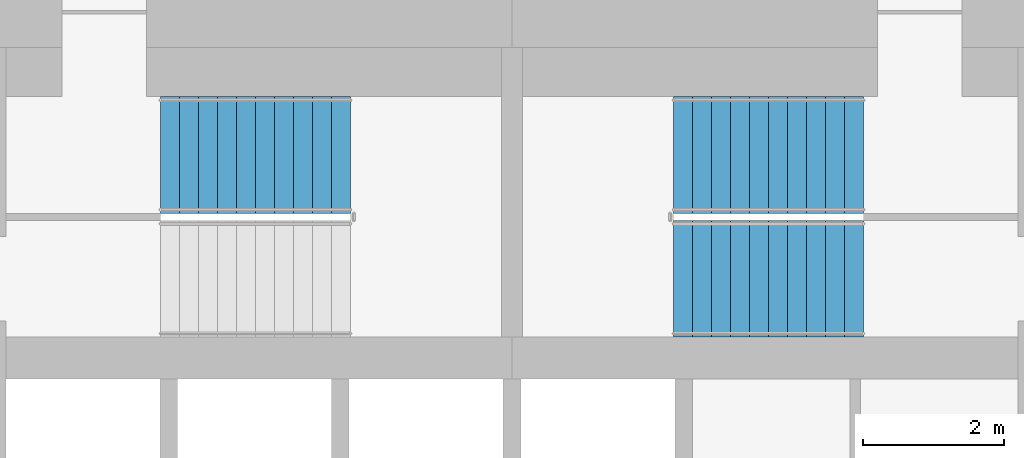
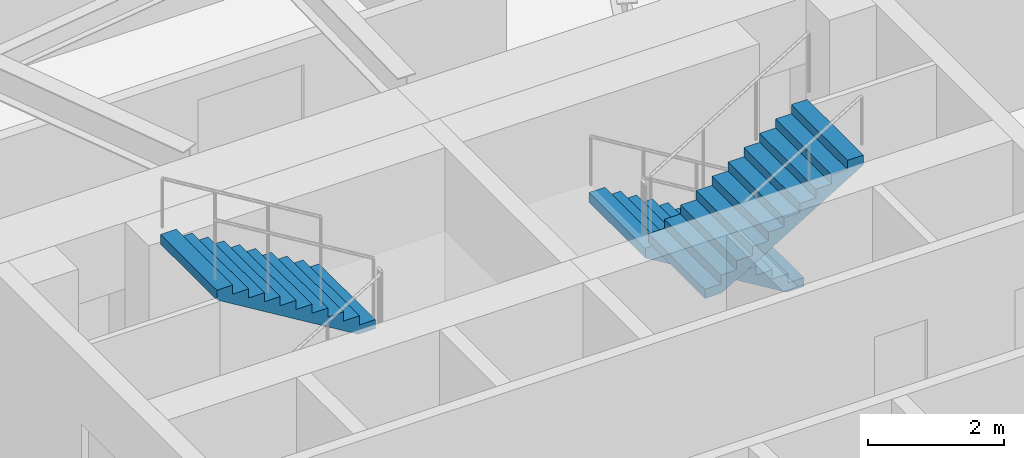
# One storey, part 5 of 8: 3 stair flights, 2 elements without a shape of their own.
"""IFC4 building model written with IfcOpenShell, lengths in metres."""

from ifc_helpers import new_model, si_unit, direction, frame, origin, place, context, subcontext, project, spatial, polyline, outline, extrude, material, type_object, element, aggregate, save


model = new_model("IFC4")

# Units and contexts
model_context = context("Model", 3, precision=1e-05, world=origin(), true_north=direction((0.0, 1.0)))
body_context = subcontext(model_context, "Body", "Model", "MODEL_VIEW")
ifc_project = project(units=[si_unit("LENGTHUNIT", "METRE"), si_unit("AREAUNIT", "SQUARE_METRE"), si_unit("VOLUMEUNIT", "CUBIC_METRE"), si_unit("PLANEANGLEUNIT", "RADIAN"), si_unit("MASSUNIT", "GRAM", prefix="KILO")], contexts=[model_context])

# Site, building, storey
site_placement = place(None, origin())
site = spatial("IfcSite", under=ifc_project, at=site_placement, CompositionType="ELEMENT")
building_placement = place(site_placement, origin())
building = spatial("IfcBuilding", under=site, at=building_placement, Name="Vermilion Reach Broadcast Tower", CompositionType="ELEMENT")
storey_placement = place(building_placement, frame((0.0, 0.0, 179.39990234375)))
storey = spatial("IfcBuildingStorey", under=building, at=storey_placement, Name="L43", CompositionType="ELEMENT", Elevation=179.39990234375)

# Stair, stair flight
ifc_material_1 = material(Name="Concrete C40", Category="concrete")
stair_type = type_object("IfcStairType", Name="Exit stair RC 22 risers 164 mm", PredefinedType="HALF_TURN_STAIR", material=ifc_material_1)
placement = place(storey_placement, origin())
stair_1 = element("IfcStair", 1, at=placement, inside=storey, type_object=stair_type, Name="L43 Exit stair ST1", PredefinedType="HALF_TURN_STAIR")
ifc_material_2 = material(Name="Concrete C40", Category="concrete")
stair_flight_type = type_object("IfcStairFlightType", Name="Exit stair flight RC 11 risers", PredefinedType="STRAIGHT", material=ifc_material_2)
stair_flight_1_placement = place(storey_placement, frame((-8.300048828125, 6.469970703125, 1.800048828125), z_axis=(0.0, 0.0, 1.0), x_axis=(-1.0, 0.0, 0.0)))
stair_flight_1 = element("IfcStairFlight", 2, at=stair_flight_1_placement, type_object=stair_flight_type, Name="ST1 flight 2", NumberOfRisers=11, NumberOfTreads=10, PredefinedType="STRAIGHT", RiserHeight=0.163636364, TreadLength=0.27, context=body_context, shape_type="SweptSolid", body=[
    extrude(outline(polyline([(0.0, 0.0), (0.0, 0.16357421875), (0.27001953125, 0.16357421875), (0.27001953125, 0.327392578125), (0.5400390625, 0.327392578125), (0.5400390625, 0.490966796875), (0.81005859375, 0.490966796875), (0.81005859375, 0.654541015625), (1.080078125, 0.654541015625), (1.080078125, 0.818115234375), (1.35009765625, 0.818115234375), (1.35009765625, 0.98193359375), (1.6201171875, 0.98193359375), (1.6201171875, 1.1455078125), (1.889892578125, 1.1455078125), (1.889892578125, 1.30908203125), (2.159912109375, 1.30908203125), (2.159912109375, 1.47265625), (2.429931640625, 1.47265625), (2.429931640625, 1.636474609375), (2.699951171875, 1.636474609375), (2.699951171875, 1.800048828125), (2.699951171875, 1.461181640625), (0.289306640625, 0.0), (0.0, 0.0)])), frame((0.0, 0.830078125, 0.0), z_axis=(0.0, -1.0, 0.0), x_axis=(1.0, 0.0, 0.0)), (0.0, 0.0, 1.0), 1.659912109375),
])
aggregate(stair_1, [stair_flight_1])

# Stair, stair flights
stair_2 = element("IfcStair", 3, at=placement, inside=storey, type_object=stair_type, Name="L43 Exit stair ST2", PredefinedType="HALF_TURN_STAIR")
stair_flight_2_placement = place(storey_placement, frame((-1.0, 6.469970703125, 0.0), z_axis=(0.0, 0.0, 1.0), x_axis=(-1.0, 0.0, 0.0)))
stair_flight_2 = element("IfcStairFlight", 4, at=stair_flight_2_placement, type_object=stair_flight_type, Name="ST2 flight 1", NumberOfRisers=11, NumberOfTreads=10, PredefinedType="STRAIGHT", RiserHeight=0.163636364, TreadLength=0.27, context=body_context, shape_type="SweptSolid", body=[
    extrude(outline(polyline([(0.0, 0.0), (0.0, 0.16357421875), (0.27001953125, 0.16357421875), (0.27001953125, 0.327392578125), (0.5400390625, 0.327392578125), (0.5400390625, 0.490966796875), (0.81005859375, 0.490966796875), (0.81005859375, 0.654541015625), (1.080078125, 0.654541015625), (1.080078125, 0.818115234375), (1.35009765625, 0.818115234375), (1.35009765625, 0.98193359375), (1.6201171875, 0.98193359375), (1.6201171875, 1.1455078125), (1.889892578125, 1.1455078125), (1.889892578125, 1.30908203125), (2.159912109375, 1.30908203125), (2.159912109375, 1.47265625), (2.429931640625, 1.47265625), (2.429931640625, 1.636474609375), (2.699951171875, 1.636474609375), (2.699951171875, 1.800048828125), (2.699951171875, 1.461181640625), (0.289306640625, 0.0), (0.0, 0.0)])), frame((0.0, 0.830078125, 0.0), z_axis=(0.0, -1.0, 0.0), x_axis=(1.0, 0.0, 0.0)), (0.0, 0.0, 1.0), 1.659912109375),
])
stair_flight_3_placement = place(storey_placement, frame((-3.699951171875, 4.7099609375, 1.800048828125), z_axis=(0.0, 0.0, 1.0), x_axis=(1.0, 0.0, 0.0)))
stair_flight_3 = element("IfcStairFlight", 5, at=stair_flight_3_placement, type_object=stair_flight_type, Name="ST2 flight 2", NumberOfRisers=11, NumberOfTreads=10, PredefinedType="STRAIGHT", RiserHeight=0.163636364, TreadLength=0.27, context=body_context, shape_type="SweptSolid", body=[
    extrude(outline(polyline([(0.0, 0.0), (0.0, 0.16357421875), (0.27001953125, 0.16357421875), (0.27001953125, 0.327392578125), (0.5400390625, 0.327392578125), (0.5400390625, 0.490966796875), (0.81005859375, 0.490966796875), (0.81005859375, 0.654541015625), (1.080078125, 0.654541015625), (1.080078125, 0.818115234375), (1.35009765625, 0.818115234375), (1.35009765625, 0.98193359375), (1.6201171875, 0.98193359375), (1.6201171875, 1.1455078125), (1.889892578125, 1.1455078125), (1.889892578125, 1.30908203125), (2.159912109375, 1.30908203125), (2.159912109375, 1.47265625), (2.429931640625, 1.47265625), (2.429931640625, 1.636474609375), (2.699951171875, 1.636474609375), (2.699951171875, 1.800048828125), (2.699951171875, 1.461181640625), (0.289306640625, 0.0), (0.0, 0.0)])), frame((0.0, 0.830078125, 0.0), z_axis=(0.0, -1.0, 0.0), x_axis=(1.0, 0.0, 0.0)), (0.0, 0.0, 1.0), 1.659912109375),
])
aggregate(stair_2, [stair_flight_2, stair_flight_3])

save(model, "model.ifc")
